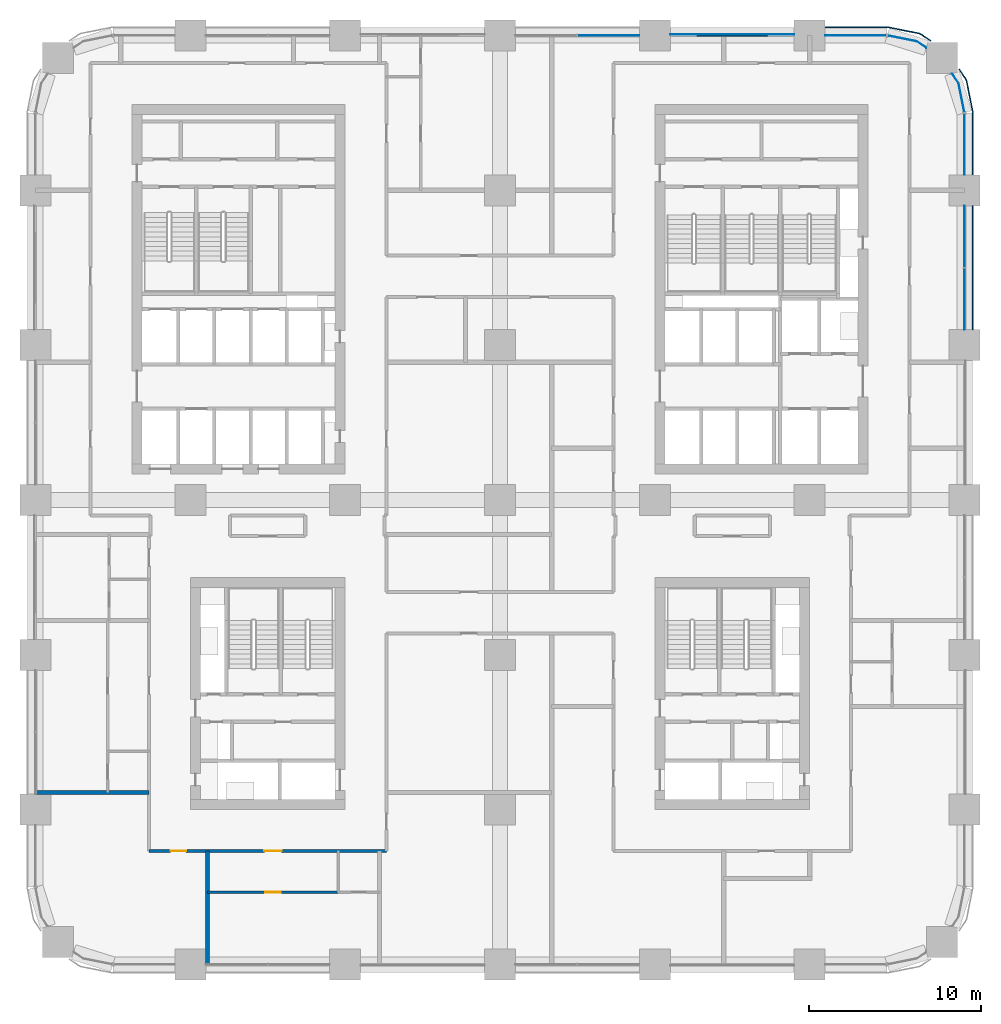
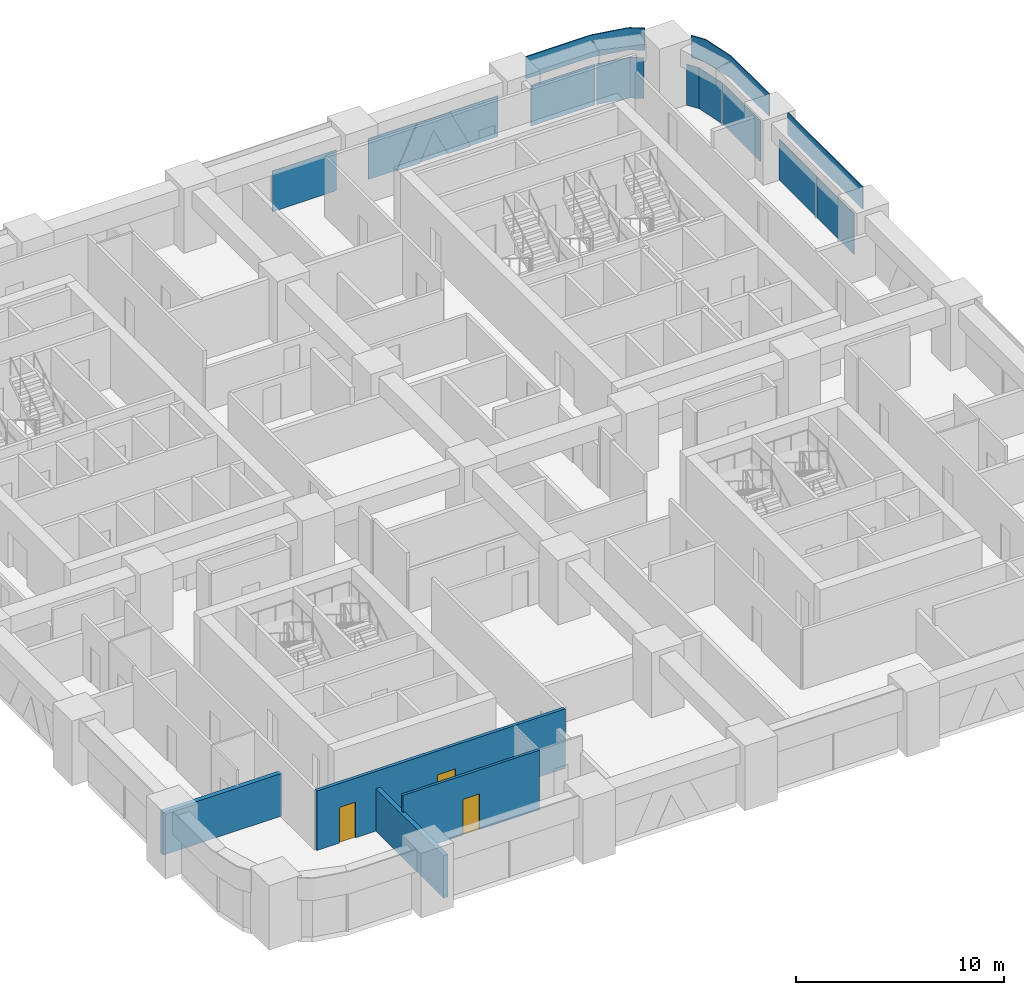
# One storey, part 11 of 21: 14 plates, 4 walls, 3 doors, 3 openings, 5 elements without a shape of their own.
"""IFC4 building model written with IfcOpenShell, lengths in metres."""

from ifc_helpers import new_model, si_unit, direction, frame, frame_2d, origin, origin_2d, place, context, subcontext, project, spatial, polyline, rectangle, outline, extrude, material, layer, layer_set, type_object, element, fill, aggregate, save


model = new_model("IFC4")

# Units and contexts
model_context = context("Model", 3, precision=1e-05, world=origin(), true_north=direction((0.0, 1.0)))
body_context = subcontext(model_context, "Body", "Model", "MODEL_VIEW")
ifc_project = project(units=[si_unit("LENGTHUNIT", "METRE"), si_unit("AREAUNIT", "SQUARE_METRE"), si_unit("VOLUMEUNIT", "CUBIC_METRE"), si_unit("PLANEANGLEUNIT", "RADIAN"), si_unit("MASSUNIT", "GRAM", prefix="KILO")], contexts=[model_context])

# Site, building, storey
site_placement = place(None, origin())
site = spatial("IfcSite", under=ifc_project, at=site_placement, CompositionType="ELEMENT")
building_placement = place(site_placement, origin())
building = spatial("IfcBuilding", under=site, at=building_placement, Name="Tessera Arch", CompositionType="ELEMENT")
storey_placement = place(building_placement, frame((0.0, 0.0, 50.0)))
storey = spatial("IfcBuildingStorey", under=building, at=storey_placement, Name="L10", CompositionType="ELEMENT", Elevation=50.0)

# Curtain wall, plates
ifc_material_1 = material(Name="CW1 curtain wall")
curtain_wall_type_1 = type_object("IfcCurtainWallType", Name="CW1 curtain wall", PredefinedType="NOTDEFINED", material=ifc_material_1)
curtain_wall_1_placement = place(storey_placement, origin())
curtain_wall_1 = element("IfcCurtainWall", 1, at=curtain_wall_1_placement, inside=storey, type_object=curtain_wall_type_1, Name="CW1 curtain wall E54.0/4 L10", PredefinedType="NOTDEFINED")
ifc_material_2 = material(Name="Clear low-e glass", Category="glass")
ifc_material_3 = material(Name="Clear low-e glass", Category="glass")
ifc_layer_1 = layer(ifc_material_3, 0.028076171875)
ifc_layer_set_1 = layer_set([ifc_layer_1], Name="CW1 glass panel")
plate_type_1 = type_object("IfcPlateType", Name="CW1 glass panel", PredefinedType="CURTAIN_PANEL", material=ifc_layer_set_1)
plate_1_placement = place(storey_placement, frame((54.0, 38.68505859375, 0.0), z_axis=(0.0, 0.0, 1.0), x_axis=(0.0, 1.0, 0.0)))
plate_1 = element("IfcPlate", 2, at=plate_1_placement, type_object=plate_type_1, material=ifc_material_2, Name="CW1 glass panel E54.0/4 1.1.1", PredefinedType="CURTAIN_PANEL", context=body_context, shape_type="SweptSolid", body=[
    extrude(rectangle(XDim=3.570068359375, YDim=0.028076171875, at=origin_2d()), origin(), (0.0, 0.0, 1.0), 2.39990234375),
])
plate_2_placement = place(storey_placement, frame((54.0, 42.31494140625, 0.0), z_axis=(0.0, 0.0, 1.0), x_axis=(0.0, 1.0, 0.0)))
plate_2 = element("IfcPlate", 3, at=plate_2_placement, type_object=plate_type_1, material=ifc_material_2, Name="CW1 glass panel E54.0/4 1.2.1", PredefinedType="CURTAIN_PANEL", context=body_context, shape_type="SweptSolid", body=[
    extrude(rectangle(XDim=3.570068359375, YDim=0.028076171875, at=origin_2d()), origin(), (0.0, 0.0, 1.0), 2.39990234375),
])

# Curtain wall, plate
curtain_wall_2_placement = place(storey_placement, origin())
curtain_wall_2 = element("IfcCurtainWall", 4, at=curtain_wall_2_placement, inside=storey, type_object=curtain_wall_type_1, Name="CW1 curtain wall N54.0/2 L10", PredefinedType="NOTDEFINED")
plate_3_placement = place(storey_placement, frame((33.31494140625, 54.0, 0.0), z_axis=(0.0, 0.0, 1.0), x_axis=(-1.0, 0.0, 0.0)))
plate_3 = element("IfcPlate", 5, at=plate_3_placement, type_object=plate_type_1, material=ifc_material_2, Name="CW1 glass panel N54.0/2 1.1.1", PredefinedType="CURTAIN_PANEL", context=body_context, shape_type="SweptSolid", body=[
    extrude(rectangle(XDim=3.570068359375, YDim=0.028076171875, at=origin_2d()), origin(), (0.0, 0.0, 1.0), 2.39990234375),
])
aggregate(curtain_wall_2, [plate_3])

# Plate
ifc_material_4 = material(Name="Pale anodised aluminium panel", Category="aluminium")
ifc_layer_2 = layer(ifc_material_4, 0.06005859375)
ifc_layer_set_2 = layer_set([ifc_layer_2], Name="CW1 spandrel panel")
plate_type_2 = type_object("IfcPlateType", Name="CW1 spandrel panel", PredefinedType="CURTAIN_PANEL", material=ifc_layer_set_2)
plate_4_placement = place(storey_placement, frame((54.47998046875, 40.5, 2.5), z_axis=(0.0, 0.0, 1.0), x_axis=(0.0, 1.0, 0.0)))
plate_4 = element("IfcPlate", 6, at=plate_4_placement, type_object=plate_type_2, Name="CW1 spandrel panel E54.0/4", PredefinedType="CURTAIN_PANEL", context=body_context, shape_type="SweptSolid", body=[
    extrude(rectangle(XDim=7.199951171875, YDim=0.06005859375, at=origin_2d()), origin(), (0.0, 0.0, 1.0), 1.300048828125),
])

aggregate(curtain_wall_1, [plate_1, plate_2, plate_4])

# Curtain wall, plates
ifc_material_5 = material(Name="CW2 curtain wall")
curtain_wall_type_2 = type_object("IfcCurtainWallType", Name="CW2 curtain wall", PredefinedType="NOTDEFINED", material=ifc_material_5)
curtain_wall_3_placement = place(storey_placement, origin())
curtain_wall_3 = element("IfcCurtainWall", 7, at=curtain_wall_3_placement, inside=storey, type_object=curtain_wall_type_2, Name="CW2 curtain wall E54.0/5 L10", PredefinedType="NOTDEFINED")
ifc_material_6 = material(Name="Clear low-e glass", Category="glass")
ifc_layer_3 = layer(ifc_material_6, 0.028076171875)
ifc_layer_set_3 = layer_set([ifc_layer_3], Name="CW2 glass panel")
plate_type_3 = type_object("IfcPlateType", Name="CW2 glass panel", PredefinedType="CURTAIN_PANEL", material=ifc_layer_set_3)
plate_5_placement = place(storey_placement, frame((54.0, 47.679931640625, 0.0), z_axis=(0.0, 0.0, 1.0), x_axis=(0.0, 1.0, 0.0)))
plate_5 = element("IfcPlate", 8, at=plate_5_placement, type_object=plate_type_3, material=ifc_material_2, Name="CW2 glass panel E54.0/5 1.1", PredefinedType="CURTAIN_PANEL", context=body_context, shape_type="SweptSolid", body=[
    extrude(rectangle(XDim=3.56005859375, YDim=0.028076171875, at=origin_2d()), origin(), (0.0, 0.0, 1.0), 2.39990234375),
])
plate_6_placement = place(storey_placement, origin())
plate_6 = element("IfcPlate", 9, at=plate_6_placement, type_object=plate_type_3, material=ifc_material_2, Name="CW2 curved glass panel E54.0/5 2.1", PredefinedType="CURTAIN_PANEL", context=body_context, shape_type="SweptSolid", body=[
    extrude(outline(polyline([(53.644287109375, 51.216552734375), (53.978515625, 49.53662109375), (54.005859375, 49.5419921875), (53.670654296875, 51.2275390625), (53.294921875, 51.789794921875), (53.271728515625, 51.774169921875), (53.644287109375, 51.216552734375)])), origin(), (0.0, 0.0, 1.0), 2.39990234375),
])

curtain_wall_4_placement = place(storey_placement, origin())
curtain_wall_4 = element("IfcCurtainWall", 10, at=curtain_wall_4_placement, inside=storey, type_object=curtain_wall_type_2, Name="CW2 curtain wall N54.0/0 L10", PredefinedType="NOTDEFINED")
plate_7_placement = place(storey_placement, frame((47.679931640625, 54.0, 0.0), z_axis=(0.0, 0.0, 1.0), x_axis=(-1.0, 0.0, 0.0)))
plate_7 = element("IfcPlate", 11, at=plate_7_placement, type_object=plate_type_3, material=ifc_material_2, Name="CW2 glass panel N54.0/0 1.1", PredefinedType="CURTAIN_PANEL", context=body_context, shape_type="SweptSolid", body=[
    extrude(rectangle(XDim=3.56005859375, YDim=0.028076171875, at=origin_2d()), origin(), (0.0, 0.0, 1.0), 2.39990234375),
])
plate_8_placement = place(storey_placement, origin())
plate_8 = element("IfcPlate", 12, at=plate_8_placement, type_object=plate_type_3, material=ifc_material_2, Name="CW2 curved glass panel N54.0/0 2.1", PredefinedType="CURTAIN_PANEL", context=body_context, shape_type="SweptSolid", body=[
    extrude(outline(polyline([(51.216552734375, 53.644287109375), (51.774169921875, 53.271728515625), (51.789794921875, 53.294921875), (51.2275390625, 53.670654296875), (49.5419921875, 54.005859375), (49.53662109375, 53.978515625), (51.216552734375, 53.644287109375)])), origin(), (0.0, 0.0, 1.0), 2.39990234375),
])

# Plate
ifc_material_7 = material(Name="Pale anodised aluminium panel", Category="aluminium")
ifc_layer_4 = layer(ifc_material_7, 0.06005859375)
ifc_layer_set_4 = layer_set([ifc_layer_4], Name="CW2 spandrel panel")
plate_type_4 = type_object("IfcPlateType", Name="CW2 spandrel panel", PredefinedType="CURTAIN_PANEL", material=ifc_layer_set_4)
plate_9_placement = place(storey_placement, frame((0.0, 0.0, 2.5)))
plate_9 = element("IfcPlate", 13, at=plate_9_placement, type_object=plate_type_4, Name="CW2 spandrel panel E54.0/5", PredefinedType="CURTAIN_PANEL", context=body_context, shape_type="SweptSolid", body=[
    extrude(outline(polyline([(54.449951171875, 49.499267578125), (54.449951171875, 45.89990234375), (54.510009765625, 45.89990234375), (54.510009765625, 49.500732421875), (54.507568359375, 49.550048828125), (54.500244140625, 49.598876953125), (54.157470703125, 51.322265625), (54.1455078125, 51.3701171875), (54.128662109375, 51.417236328125), (54.107177734375, 51.462646484375), (54.08203125, 51.5048828125), (53.707275390625, 52.0654296875), (53.657470703125, 52.031982421875), (54.03125, 51.47265625), (54.05419921875, 51.434326171875), (54.0732421875, 51.394287109375), (54.088134765625, 51.352783203125), (54.09912109375, 51.30908203125), (54.441162109375, 49.588623046875), (54.44775390625, 49.544189453125), (54.449951171875, 49.499267578125)])), origin(), (0.0, 0.0, 1.0), 1.300048828125),
])

aggregate(curtain_wall_3, [plate_5, plate_6, plate_9])

plate_10_placement = place(storey_placement, frame((0.0, 0.0, 2.5)))
plate_10 = element("IfcPlate", 14, at=plate_10_placement, type_object=plate_type_4, Name="CW2 spandrel panel N54.0/0", PredefinedType="CURTAIN_PANEL", context=body_context, shape_type="SweptSolid", body=[
    extrude(outline(polyline([(51.47265625, 54.03125), (52.031982421875, 53.657470703125), (52.0654296875, 53.707275390625), (51.5048828125, 54.08203125), (51.462646484375, 54.107177734375), (51.417236328125, 54.128662109375), (51.3701171875, 54.1455078125), (51.322265625, 54.157470703125), (49.598876953125, 54.500244140625), (49.550048828125, 54.507568359375), (49.500732421875, 54.510009765625), (45.89990234375, 54.510009765625), (45.89990234375, 54.449951171875), (49.499267578125, 54.449951171875), (49.544189453125, 54.44775390625), (49.588623046875, 54.441162109375), (51.30908203125, 54.09912109375), (51.352783203125, 54.088134765625), (51.394287109375, 54.0732421875), (51.434326171875, 54.05419921875), (51.47265625, 54.03125)])), origin(), (0.0, 0.0, 1.0), 1.300048828125),
])

aggregate(curtain_wall_4, [plate_7, plate_8, plate_10])

# Curtain wall, plates
ifc_material_8 = material(Name="CW3 curtain wall")
curtain_wall_type_3 = type_object("IfcCurtainWallType", Name="CW3 curtain wall", PredefinedType="NOTDEFINED", material=ifc_material_8)
curtain_wall_5_placement = place(storey_placement, origin())
curtain_wall_5 = element("IfcCurtainWall", 15, at=curtain_wall_5_placement, inside=storey, type_object=curtain_wall_type_3, Name="CW3 curtain wall N54.0/1 L10", PredefinedType="NOTDEFINED")
ifc_material_9 = material(Name="Pale anodised aluminium panel", Category="aluminium")
ifc_layer_5 = layer(ifc_material_9, 0.06005859375)
ifc_layer_set_5 = layer_set([ifc_layer_5], Name="CW3 diagonal panel")
plate_type_5 = type_object("IfcPlateType", Name="CW3 diagonal panel", PredefinedType="CURTAIN_PANEL", material=ifc_layer_set_5)
plate_11_placement = place(storey_placement, frame((39.58740234375, 54.030029296875, 2.39990234375), z_axis=(0.0, 1.0, 0.0), x_axis=(1.0, 0.0, 0.0)))
plate_11 = element("IfcPlate", 16, at=plate_11_placement, type_object=plate_type_5, Name="CW3 diagonal panel N54.0/1 1", PredefinedType="CURTAIN_PANEL", context=body_context, shape_type="SweptSolid", body=[
    extrude(outline(polyline([(0.0, 0.0), (1.8251953125, 0.0), (2.962158203125, 2.39990234375), (1.705078125, 2.39990234375), (0.91259765625, 0.726806640625), (0.1201171875, 2.39990234375), (-1.136962890625, 2.39990234375), (0.0, 0.0)])), origin(), (0.0, 0.0, -1.0), 0.06005859375),
])
ifc_material_10 = material(Name="Clear low-e glass", Category="glass")
ifc_layer_6 = layer(ifc_material_10, 0.028076171875)
ifc_layer_set_6 = layer_set([ifc_layer_6], Name="CW3 glass panel")
plate_type_6 = type_object("IfcPlateType", Name="CW3 glass panel", PredefinedType="CURTAIN_PANEL", material=ifc_layer_set_6)
plate_12_placement = place(storey_placement, frame((44.10009765625, 54.05810546875, 0.0), z_axis=(0.0, 1.0, 0.0), x_axis=(-1.0, 0.0, 0.0)))
plate_12 = element("IfcPlate", 17, at=plate_12_placement, type_object=plate_type_6, material=ifc_material_2, Name="CW3 triangulated glass panel N54.0/1 1", PredefinedType="CURTAIN_PANEL", context=body_context, shape_type="SweptSolid", body=[
    extrude(outline(polyline([(0.0, 0.0), (1.550537109375, 0.0), (2.6875, 2.39990234375), (0.0, 2.39990234375), (0.0, 0.0)])), origin(), (0.0, 0.0, -1.0), 0.028076171875),
])
plate_13_placement = place(storey_placement, frame((41.29248046875, 54.05810546875, 0.0), z_axis=(0.0, 1.0, 0.0), x_axis=(-1.0, 0.0, 0.0)))
plate_13 = element("IfcPlate", 18, at=plate_13_placement, type_object=plate_type_6, material=ifc_material_2, Name="CW3 triangulated glass panel N54.0/1 2", PredefinedType="CURTAIN_PANEL", context=body_context, shape_type="SweptSolid", body=[
    extrude(outline(polyline([(0.0, 0.0), (1.5849609375, 0.0), (0.79248046875, 1.673095703125), (0.0, 0.0)])), origin(), (0.0, 0.0, -1.0), 0.028076171875),
])
plate_14_placement = place(storey_placement, frame((36.89990234375, 54.05810546875, 2.39990234375), z_axis=(0.0, 1.0, 0.0), x_axis=(1.0, 0.0, 0.0)))
plate_14 = element("IfcPlate", 19, at=plate_14_placement, type_object=plate_type_6, material=ifc_material_2, Name="CW3 triangulated glass panel N54.0/1 3", PredefinedType="CURTAIN_PANEL", context=body_context, shape_type="SweptSolid", body=[
    extrude(outline(polyline([(0.0, 0.0), (2.6875, 0.0), (1.550537109375, 2.39990234375), (0.0, 2.39990234375), (0.0, 0.0)])), origin(), (0.0, 0.0, -1.0), 0.028076171875),
])
aggregate(curtain_wall_5, [plate_12, plate_13, plate_14, plate_11])

# Wall, openings, doors
ifc_material_11 = material(Name="Gypsum board on deep steel stud with mineral wool", Category="steel")
ifc_layer_7 = layer(ifc_material_11, 0.175048828125)
ifc_layer_set_7 = layer_set([ifc_layer_7], Name="Corridor wall 175 EI 60")
wall_type_1 = type_object("IfcWallType", Name="Corridor wall 175 EI 60", PredefinedType="PARTITIONING", material=ifc_layer_set_7)
wall_1_placement = place(storey_placement, frame((6.60009765625, 6.60009765625, 0.0), z_axis=(0.0, 0.0, 1.0), x_axis=(1.0, 0.0, 0.0)))
wall_1 = element("IfcWall", 20, at=wall_1_placement, inside=storey, type_object=wall_type_1, Name="L10 partition 1", PredefinedType="PARTITIONING", context=body_context, shape_type="SweptSolid", body=[
    extrude(rectangle(XDim=13.7998046875, YDim=0.175048828125, at=frame_2d((6.89990234375, 0.0))), origin(), (0.0, 0.0, 1.0), 3.5),
])
opening_1_placement = place(wall_1_placement, frame((6.699951171875, 0.0, 0.0)))
opening_1 = element("IfcOpeningElement", 21, at=opening_1_placement, cuts=wall_1, Name="Opening L10-D001", PredefinedType="OPENING", context=body_context, shape_type="SweptSolid", body=[
    extrude(rectangle(XDim=1.0, YDim=2.10009765625, at=frame_2d((0.5, 1.050048828125))), frame((0.0, 0.097412109375, 0.0), z_axis=(0.0, -1.0, 0.0), x_axis=(1.0, 0.0, 0.0)), (0.0, 0.0, 1.0), 0.195068359375),
])
opening_2_placement = place(wall_1_placement, frame((1.25, 0.0, 0.0)))
opening_2 = element("IfcOpeningElement", 22, at=opening_2_placement, cuts=wall_1, Name="Opening L10-D004", PredefinedType="OPENING", context=body_context, shape_type="SweptSolid", body=[
    extrude(rectangle(XDim=0.89990234375, YDim=2.10009765625, at=frame_2d((0.449951171875, 1.050048828125))), frame((0.0, 0.097412109375, 0.0), z_axis=(0.0, -1.0, 0.0), x_axis=(1.0, 0.0, 0.0)), (0.0, 0.0, 1.0), 0.195068359375),
])
ifc_material_12 = material(Name="Fire-rated door leaf")
door_type_1 = type_object("IfcDoorType", Name="Entrance door FD30S 1000 x 2100", OperationType="SINGLE_SWING_LEFT", PredefinedType="DOOR", material=ifc_material_12)
door_1_placement = place(opening_1_placement, origin())
door_1 = element("IfcDoor", 23, at=door_1_placement, inside=storey, type_object=door_type_1, Name="L10 door D001 type D03", OperationType="SINGLE_SWING_RIGHT", OverallHeight=2.10009765625, OverallWidth=1.0, PredefinedType="DOOR", context=body_context, shape_type="SweptSolid", body=[
    extrude(rectangle(XDim=1.0, YDim=2.10009765625, at=frame_2d((0.5, 1.050048828125))), frame((0.0, 0.02490234375, 0.0), z_axis=(0.0, -1.0, 0.0), x_axis=(1.0, 0.0, 0.0)), (0.0, 0.0, 1.0), 0.050048828125),
])
fill(opening_1, door_1)
ifc_material_13 = material(Name="Timber door leaf", Category="wood")
door_type_2 = type_object("IfcDoorType", Name="Room door 900 x 2100", OperationType="SINGLE_SWING_LEFT", PredefinedType="DOOR", material=ifc_material_13)
door_2_placement = place(opening_2_placement, origin())
door_2 = element("IfcDoor", 24, at=door_2_placement, inside=storey, type_object=door_type_2, Name="L10 door D004 type D01", OperationType="SINGLE_SWING_LEFT", OverallHeight=2.10009765625, OverallWidth=0.89990234375, PredefinedType="DOOR", context=body_context, shape_type="SweptSolid", body=[
    extrude(rectangle(XDim=0.89990234375, YDim=2.10009765625, at=frame_2d((0.449951171875, 1.050048828125))), frame((0.0, 0.02490234375, 0.0), z_axis=(0.0, -1.0, 0.0), x_axis=(1.0, 0.0, 0.0)), (0.0, 0.0, 1.0), 0.050048828125),
])
fill(opening_2, door_2)

# Wall, opening, door
ifc_material_14 = material(Name="Gypsum board on steel stud", Category="steel")
ifc_layer_8 = layer(ifc_material_14, 0.14990234375)
ifc_layer_set_8 = layer_set([ifc_layer_8], Name="Partition 150")
wall_type_2 = type_object("IfcWallType", Name="Partition 150", PredefinedType="PARTITIONING", material=ifc_layer_set_8)
wall_2_placement = place(storey_placement, frame((10.0, 4.199951171875, 0.0), z_axis=(0.0, 0.0, 1.0), x_axis=(1.0, 0.0, 0.0)))
wall_2 = element("IfcWall", 25, at=wall_2_placement, inside=storey, type_object=wall_type_2, Name="L10 partition 41", PredefinedType="PARTITIONING", context=body_context, shape_type="SweptSolid", body=[
    extrude(rectangle(XDim=7.60009765625, YDim=0.14990234375, at=frame_2d((3.800048828125, 0.0))), origin(), (0.0, 0.0, 1.0), 3.5),
])
opening_3_placement = place(wall_2_placement, frame((3.35009765625, 0.0, 0.0)))
opening_3 = element("IfcOpeningElement", 26, at=opening_3_placement, cuts=wall_2, Name="Opening L10-D002", PredefinedType="OPENING", context=body_context, shape_type="SweptSolid", body=[
    extrude(rectangle(XDim=0.89990234375, YDim=2.10009765625, at=frame_2d((0.449951171875, 1.050048828125))), frame((0.0, 0.0849609375, 0.0), z_axis=(0.0, -1.0, 0.0), x_axis=(1.0, 0.0, 0.0)), (0.0, 0.0, 1.0), 0.169921875),
])
door_3_placement = place(opening_3_placement, origin())
door_3 = element("IfcDoor", 27, at=door_3_placement, inside=storey, type_object=door_type_2, Name="L10 door D002 type D01", OperationType="SINGLE_SWING_LEFT", OverallHeight=2.10009765625, OverallWidth=0.89990234375, PredefinedType="DOOR", context=body_context, shape_type="SweptSolid", body=[
    extrude(rectangle(XDim=0.89990234375, YDim=2.10009765625, at=frame_2d((0.449951171875, 1.050048828125))), frame((0.0, 0.02490234375, 0.0), z_axis=(0.0, -1.0, 0.0), x_axis=(1.0, 0.0, 0.0)), (0.0, 0.0, 1.0), 0.050048828125),
])
fill(opening_3, door_3)

# Walls
ifc_material_15 = material(Name="Double gypsum board on twin steel stud with acoustic mineral wool", Category="steel")
ifc_layer_9 = layer(ifc_material_15, 0.25)
ifc_layer_set_9 = layer_set([ifc_layer_9], Name="Party wall 250 EI 60")
wall_type_3 = type_object("IfcWallType", Name="Party wall 250 EI 60", PredefinedType="PARTITIONING", material=ifc_layer_set_9)
for number, where, z_axis, x_axis, name in (
    (28, (0.0, 10.0, 0.0), (0.0, 0.0, 1.0), (1.0, 0.0, 0.0), "L10 partition 47"),
    (29, (10.0, 0.0, 0.0), (0.0, 0.0, 1.0), (0.0, 1.0, 0.0), "L10 partition 64"),
):
    element("IfcWall", number, at=place(storey_placement, frame(where, z_axis=z_axis, x_axis=x_axis)), inside=storey, type_object=wall_type_3, Name=name, PredefinedType="PARTITIONING", context=body_context, shape_type="SweptSolid", body=[
        extrude(rectangle(XDim=6.60009765625, YDim=0.25, at=frame_2d((3.300048828125, 0.0))), origin(), (0.0, 0.0, 1.0), 2.5),
    ])

save(model, "model.ifc")
